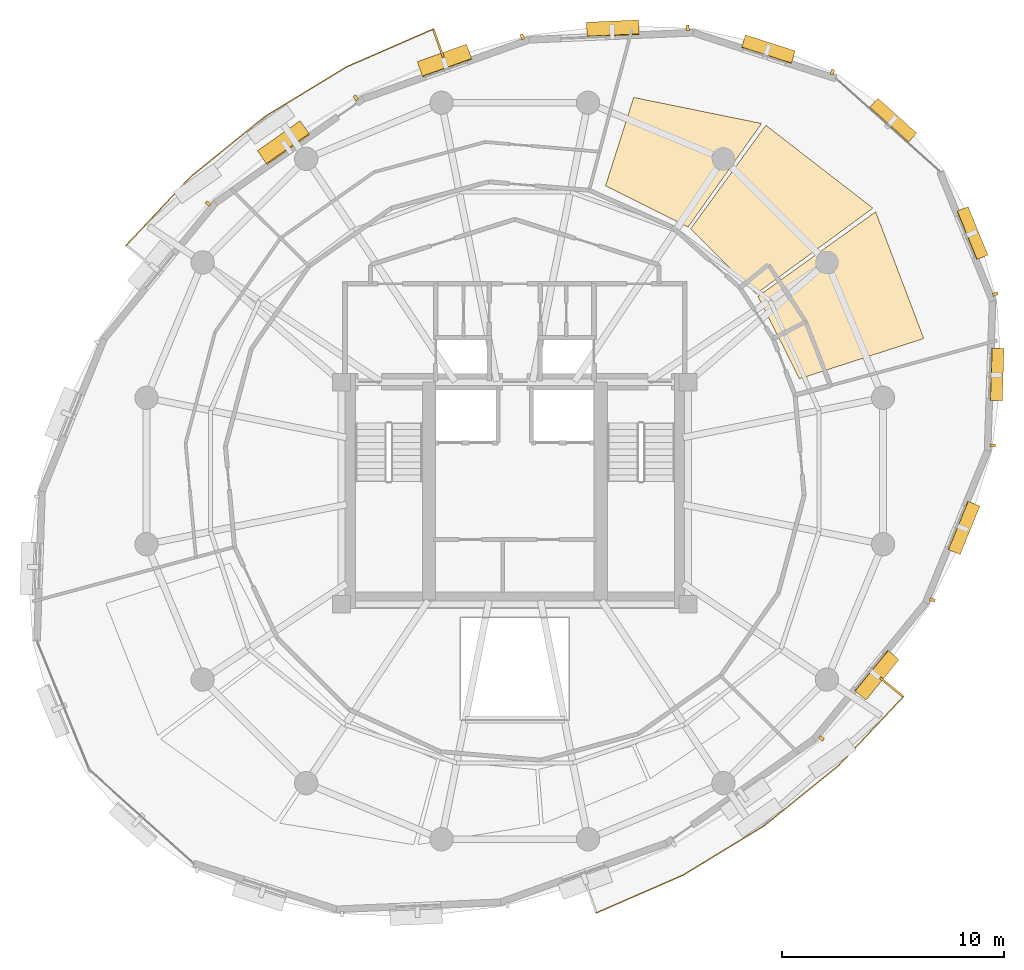
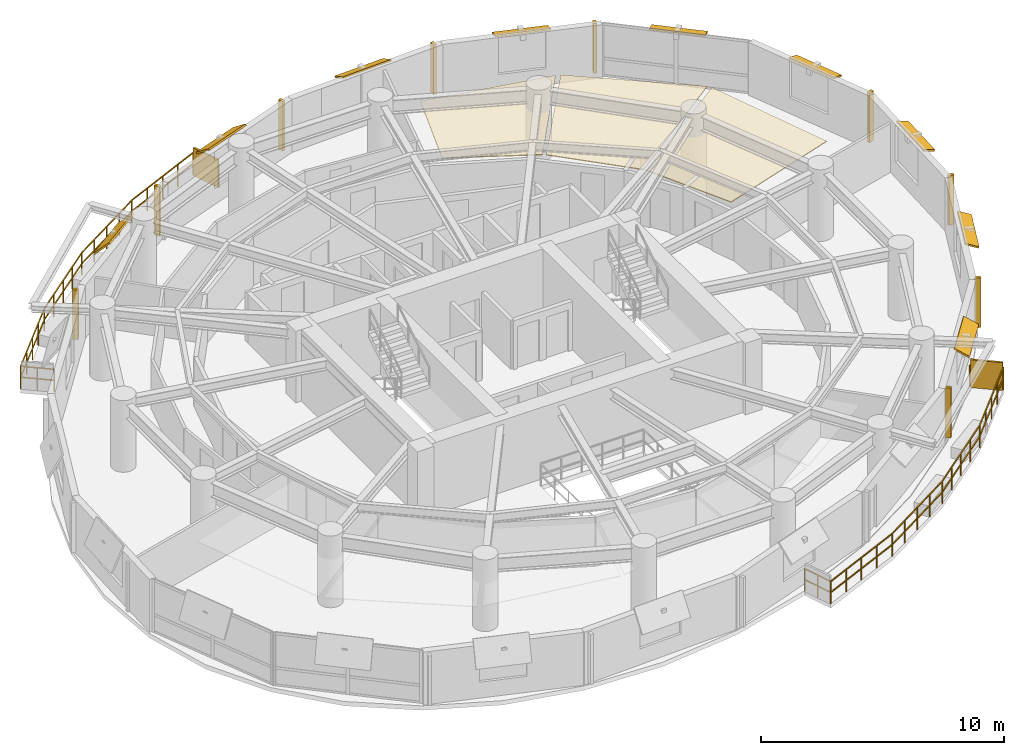
# One storey, part 11 of 11: 20 shading devices, 3 coverings, 2 railings.
"""IFC4 building model written with IfcOpenShell, lengths in metres."""

from ifc_helpers import new_model, si_unit, direction, frame, origin, origin_2d, place, context, subcontext, project, spatial, polyline, rectangle, outline, extrude, material, layer, layer_set, type_object, element, save


model = new_model("IFC4")

# Units and contexts
model_context = context("Model", 3, precision=1e-05, world=origin(), true_north=direction((0.0, 1.0)))
body_context = subcontext(model_context, "Body", "Model", "MODEL_VIEW")
ifc_project = project(units=[si_unit("LENGTHUNIT", "METRE"), si_unit("AREAUNIT", "SQUARE_METRE"), si_unit("VOLUMEUNIT", "CUBIC_METRE"), si_unit("PLANEANGLEUNIT", "RADIAN"), si_unit("MASSUNIT", "GRAM", prefix="KILO"), si_unit("THERMODYNAMICTEMPERATUREUNIT", "KELVIN"), si_unit("POWERUNIT", "WATT")], contexts=[model_context])

# Site, building, storey
site_placement = place(None, origin())
site = spatial("IfcSite", under=ifc_project, at=site_placement, CompositionType="ELEMENT")
building_placement = place(site_placement, origin())
building = spatial("IfcBuilding", under=site, at=building_placement, Name="Ocrelia Relay Tower", CompositionType="ELEMENT")
storey_placement = place(building_placement, frame((0.0, 0.0, 180.800048828125)))
storey = spatial("IfcBuildingStorey", under=building, at=storey_placement, Name="L43", CompositionType="ELEMENT", Elevation=180.800048828125)

# Coverings
ifc_material_1 = material(Name="Mineral-fiber acoustic ceiling tile", Category="gypsum")
ifc_layer_1 = layer(ifc_material_1, 0.0400390625, Name="Mineral-fiber acoustic ceiling tile")
ifc_layer_set_1 = layer_set([ifc_layer_1], Name="Mineral-fiber acoustic ceiling tile")
covering_type = type_object("IfcCoveringType", Name="COV-CEIL-ACOUSTIC", PredefinedType="CEILING", material=ifc_layer_set_1)
covering_1_placement = place(storey_placement, frame((0.0, 0.0, 2.3798828125)))
element("IfcCovering", 1, at=covering_1_placement, inside=storey, type_object=covering_type, Name="L43 Technical Reference Library Suspended Ceiling 1", PredefinedType="CEILING", context=body_context, shape_type="SweptSolid", body=[
    extrude(outline(polyline([(46.814453125, 30.1513671875), (52.41064453125, 31.96435546875), (50.244384765625, 37.665771484375), (44.941162109375, 33.857177734375), (46.814453125, 30.1513671875)])), origin(), (0.0, 0.0, 1.0), 0.0400390625),
])
covering_2_placement = place(storey_placement, frame((0.0, 0.0, 2.3798828125)))
element("IfcCovering", 2, at=covering_2_placement, inside=storey, type_object=covering_type, Name="L43 Technical Reference Library Suspended Ceiling 2", PredefinedType="CEILING", context=body_context, shape_type="SweptSolid", body=[
    extrude(outline(polyline([(44.858154296875, 33.97119140625), (50.11962890625, 37.833740234375), (45.300537109375, 41.563232421875), (41.914306640625, 36.89990234375), (44.858154296875, 33.97119140625)])), origin(), (0.0, 0.0, 1.0), 0.0400390625),
])
covering_3_placement = place(storey_placement, frame((0.0, 0.0, 2.3798828125)))
element("IfcCovering", 3, at=covering_3_placement, inside=storey, type_object=covering_type, Name="L43 Technical Reference Library Suspended Ceiling 3", PredefinedType="CEILING", context=body_context, shape_type="SweptSolid", body=[
    extrude(outline(polyline([(41.7998046875, 36.98193359375), (45.11083984375, 41.644287109375), (39.350830078125, 42.817138671875), (38.083984375, 38.8359375), (41.7998046875, 36.98193359375)])), origin(), (0.0, 0.0, 1.0), 0.0400390625),
])

# Railings
ifc_material_2 = material(Name="Steel S355 balustrade", Category="steel")
railing_type = type_object("IfcRailingType", Name="RL-EXT-GUARD-1150", PredefinedType="GUARDRAIL", material=ifc_material_2)
railing_1_placement = place(storey_placement, frame((17.584716796875, 35.27880859375, 0.0)))
element("IfcRailing", 4, at=railing_1_placement, inside=storey, type_object=railing_type, Name="L43 Loggia Balcony Guard Rail B1", PredefinedType="GUARDRAIL", context=body_context, shape_type="SweptSolid", body=[
    extrude(rectangle(XDim=0.048095703125, YDim=0.048095703125, at=origin_2d()), frame((0.0, 0.0, 1.1259765625), z_axis=(-0.774885344392, 0.632101813829, 0.0), x_axis=(-0.632101813829, -0.774885344392, 0.0)), (0.0, 0.0, 1.0), 1.3935546875),
    extrude(rectangle(XDim=0.048095703125, YDim=0.048095703125, at=origin_2d()), frame((0.0, 0.0, 0.574951171875), z_axis=(-0.774885344392, 0.632101813829, 0.0), x_axis=(-0.632101813829, -0.774885344392, 0.0)), (0.0, 0.0, 1.0), 1.3935546875),
    extrude(rectangle(XDim=0.048095703125, YDim=0.048095703125, at=origin_2d()), frame((-1.079833984375, 0.880859375, 1.1259765625), z_axis=(0.68507819274, 0.728469539399, 0.0), x_axis=(-0.728469539399, 0.68507819274, 0.0)), (0.0, 0.0, 1.0), 2.126708984375),
    extrude(rectangle(XDim=0.048095703125, YDim=0.048095703125, at=origin_2d()), frame((-1.079833984375, 0.880859375, 0.574951171875), z_axis=(0.68507819274, 0.728469539399, 0.0), x_axis=(-0.728469539399, 0.68507819274, 0.0)), (0.0, 0.0, 1.0), 2.126708984375),
    extrude(rectangle(XDim=0.048095703125, YDim=0.048095703125, at=origin_2d()), frame((0.377197265625, 2.43017578125, 1.1259765625), z_axis=(0.685017269169, 0.728526829252, 0.0), x_axis=(-0.728526829252, 0.685017269169, 0.0)), (0.0, 0.0, 1.0), 2.126708984375),
    extrude(rectangle(XDim=0.048095703125, YDim=0.048095703125, at=origin_2d()), frame((0.377197265625, 2.43017578125, 0.574951171875), z_axis=(0.685017269169, 0.728526829252, 0.0), x_axis=(-0.728526829252, 0.685017269169, 0.0)), (0.0, 0.0, 1.0), 2.126708984375),
    extrude(rectangle(XDim=0.048095703125, YDim=0.048095703125, at=origin_2d()), frame((1.833984375, 3.9794921875, 1.1259765625), z_axis=(0.777248838319, 0.629193327469, 0.0), x_axis=(-0.629193327469, 0.777248838319, 0.0)), (0.0, 0.0, 1.0), 4.298828125),
    extrude(rectangle(XDim=0.048095703125, YDim=0.048095703125, at=origin_2d()), frame((1.833984375, 3.9794921875, 0.574951171875), z_axis=(0.777248838319, 0.629193327469, 0.0), x_axis=(-0.629193327469, 0.777248838319, 0.0)), (0.0, 0.0, 1.0), 4.298828125),
    extrude(rectangle(XDim=0.048095703125, YDim=0.048095703125, at=origin_2d()), frame((5.17529296875, 6.684326171875, 1.1259765625), z_axis=(0.854370673373, 0.519664076573, 0.0), x_axis=(-0.519664076573, 0.854370673373, 0.0)), (0.0, 0.0, 1.0), 4.299072265625),
    extrude(rectangle(XDim=0.048095703125, YDim=0.048095703125, at=origin_2d()), frame((5.17529296875, 6.684326171875, 0.574951171875), z_axis=(0.854370673373, 0.519664076573, 0.0), x_axis=(-0.519664076573, 0.854370673373, 0.0)), (0.0, 0.0, 1.0), 4.299072265625),
    extrude(rectangle(XDim=0.048095703125, YDim=0.048095703125, at=origin_2d()), frame((8.848388671875, 8.91845703125, 1.1259765625), z_axis=(0.916825309081, 0.399288558099, 0.0), x_axis=(-0.399288558099, 0.916825309081, 0.0)), (0.0, 0.0, 1.0), 2.12646484375),
    extrude(rectangle(XDim=0.048095703125, YDim=0.048095703125, at=origin_2d()), frame((8.848388671875, 8.91845703125, 0.574951171875), z_axis=(0.916825309081, 0.399288558099, 0.0), x_axis=(-0.399288558099, 0.916825309081, 0.0)), (0.0, 0.0, 1.0), 2.12646484375),
    extrude(rectangle(XDim=0.048095703125, YDim=0.048095703125, at=origin_2d()), frame((10.798095703125, 9.767578125, 1.1259765625), z_axis=(0.916783278701, 0.399385052166, 0.0), x_axis=(-0.399385052166, 0.916783278701, 0.0)), (0.0, 0.0, 1.0), 2.126708984375),
    extrude(rectangle(XDim=0.048095703125, YDim=0.048095703125, at=origin_2d()), frame((10.798095703125, 9.767578125, 0.574951171875), z_axis=(0.916783278701, 0.399385052166, 0.0), x_axis=(-0.399385052166, 0.916783278701, 0.0)), (0.0, 0.0, 1.0), 2.126708984375),
    extrude(rectangle(XDim=0.048095703125, YDim=0.048095703125, at=origin_2d()), frame((12.747802734375, 10.616943359375, 1.1259765625), z_axis=(0.333782272484, -0.942650197356, 0.0), x_axis=(0.942650197356, 0.333782272484, 0.0)), (0.0, 0.0, 1.0), 1.393310546875),
    extrude(rectangle(XDim=0.048095703125, YDim=0.048095703125, at=origin_2d()), frame((12.747802734375, 10.616943359375, 0.574951171875), z_axis=(0.333782272484, -0.942650197356, 0.0), x_axis=(0.942650197356, 0.333782272484, 0.0)), (0.0, 0.0, 1.0), 1.393310546875),
    extrude(rectangle(XDim=0.0419921875, YDim=0.0419921875, at=origin_2d()), origin(), (0.0, 0.0, 1.0), 1.101806640625),
    extrude(rectangle(XDim=0.0419921875, YDim=0.0419921875, at=origin_2d()), frame((-0.5400390625, 0.4404296875, 0.0)), (0.0, 0.0, 1.0), 1.101806640625),
    extrude(rectangle(XDim=0.0419921875, YDim=0.0419921875, at=origin_2d()), frame((-1.079833984375, 0.880859375, 0.0)), (0.0, 0.0, 1.0), 1.101806640625),
    extrude(rectangle(XDim=0.0419921875, YDim=0.0419921875, at=origin_2d()), frame((-0.351318359375, 1.655517578125, 0.0)), (0.0, 0.0, 1.0), 1.101806640625),
    extrude(rectangle(XDim=0.0419921875, YDim=0.0419921875, at=origin_2d()), frame((0.377197265625, 2.43017578125, 0.0)), (0.0, 0.0, 1.0), 1.101806640625),
    extrude(rectangle(XDim=0.0419921875, YDim=0.0419921875, at=origin_2d()), frame((1.10546875, 3.204833984375, 0.0)), (0.0, 0.0, 1.0), 1.101806640625),
    extrude(rectangle(XDim=0.0419921875, YDim=0.0419921875, at=origin_2d()), frame((1.833984375, 3.9794921875, 0.0)), (0.0, 0.0, 1.0), 1.101806640625),
    extrude(rectangle(XDim=0.0419921875, YDim=0.0419921875, at=origin_2d()), frame((2.66943359375, 4.65576171875, 0.0)), (0.0, 0.0, 1.0), 1.101806640625),
    extrude(rectangle(XDim=0.0419921875, YDim=0.0419921875, at=origin_2d()), frame((3.504638671875, 5.33203125, 0.0)), (0.0, 0.0, 1.0), 1.101806640625),
    extrude(rectangle(XDim=0.0419921875, YDim=0.0419921875, at=origin_2d()), frame((4.33984375, 6.008056640625, 0.0)), (0.0, 0.0, 1.0), 1.101806640625),
    extrude(rectangle(XDim=0.0419921875, YDim=0.0419921875, at=origin_2d()), frame((5.17529296875, 6.684326171875, 0.0)), (0.0, 0.0, 1.0), 1.101806640625),
    extrude(rectangle(XDim=0.0419921875, YDim=0.0419921875, at=origin_2d()), frame((6.093505859375, 7.242919921875, 0.0)), (0.0, 0.0, 1.0), 1.101806640625),
    extrude(rectangle(XDim=0.0419921875, YDim=0.0419921875, at=origin_2d()), frame((7.01171875, 7.80126953125, 0.0)), (0.0, 0.0, 1.0), 1.101806640625),
    extrude(rectangle(XDim=0.0419921875, YDim=0.0419921875, at=origin_2d()), frame((7.93017578125, 8.35986328125, 0.0)), (0.0, 0.0, 1.0), 1.101806640625),
    extrude(rectangle(XDim=0.0419921875, YDim=0.0419921875, at=origin_2d()), frame((8.848388671875, 8.91845703125, 0.0)), (0.0, 0.0, 1.0), 1.101806640625),
    extrude(rectangle(XDim=0.0419921875, YDim=0.0419921875, at=origin_2d()), frame((9.8232421875, 9.343017578125, 0.0)), (0.0, 0.0, 1.0), 1.101806640625),
    extrude(rectangle(XDim=0.0419921875, YDim=0.0419921875, at=origin_2d()), frame((10.798095703125, 9.767578125, 0.0)), (0.0, 0.0, 1.0), 1.101806640625),
    extrude(rectangle(XDim=0.0419921875, YDim=0.0419921875, at=origin_2d()), frame((11.77294921875, 10.1923828125, 0.0)), (0.0, 0.0, 1.0), 1.101806640625),
    extrude(rectangle(XDim=0.0419921875, YDim=0.0419921875, at=origin_2d()), frame((12.747802734375, 10.616943359375, 0.0)), (0.0, 0.0, 1.0), 1.101806640625),
    extrude(rectangle(XDim=0.0419921875, YDim=0.0419921875, at=origin_2d()), frame((12.98046875, 9.960205078125, 0.0)), (0.0, 0.0, 1.0), 1.101806640625),
    extrude(rectangle(XDim=0.0419921875, YDim=0.0419921875, at=origin_2d()), frame((13.212890625, 9.303466796875, 0.0)), (0.0, 0.0, 1.0), 1.101806640625),
])
railing_2_placement = place(storey_placement, frame((50.415283203125, 16.72119140625, 0.0)))
element("IfcRailing", 5, at=railing_2_placement, inside=storey, type_object=railing_type, Name="L43 Loggia Balcony Guard Rail B2", PredefinedType="GUARDRAIL", context=body_context, shape_type="SweptSolid", body=[
    extrude(rectangle(XDim=0.048095703125, YDim=0.048095703125, at=origin_2d()), frame((0.0, 0.0, 1.1259765625), z_axis=(0.774885344392, -0.632101813829, 0.0), x_axis=(0.632101813829, 0.774885344392, 0.0)), (0.0, 0.0, 1.0), 1.3935546875),
    extrude(rectangle(XDim=0.048095703125, YDim=0.048095703125, at=origin_2d()), frame((0.0, 0.0, 0.574951171875), z_axis=(0.774885344392, -0.632101813829, 0.0), x_axis=(0.632101813829, 0.774885344392, 0.0)), (0.0, 0.0, 1.0), 1.3935546875),
    extrude(rectangle(XDim=0.048095703125, YDim=0.048095703125, at=origin_2d()), frame((1.079833984375, -0.880859375, 1.1259765625), z_axis=(-0.68507819274, -0.728469539399, 0.0), x_axis=(0.728469539399, -0.68507819274, 0.0)), (0.0, 0.0, 1.0), 2.126708984375),
    extrude(rectangle(XDim=0.048095703125, YDim=0.048095703125, at=origin_2d()), frame((1.079833984375, -0.880859375, 0.574951171875), z_axis=(-0.68507819274, -0.728469539399, 0.0), x_axis=(0.728469539399, -0.68507819274, 0.0)), (0.0, 0.0, 1.0), 2.126708984375),
    extrude(rectangle(XDim=0.048095703125, YDim=0.048095703125, at=origin_2d()), frame((-0.377197265625, -2.43017578125, 1.1259765625), z_axis=(-0.685017269169, -0.728526829252, 0.0), x_axis=(0.728526829252, -0.685017269169, 0.0)), (0.0, 0.0, 1.0), 2.126708984375),
    extrude(rectangle(XDim=0.048095703125, YDim=0.048095703125, at=origin_2d()), frame((-0.377197265625, -2.43017578125, 0.574951171875), z_axis=(-0.685017269169, -0.728526829252, 0.0), x_axis=(0.728526829252, -0.685017269169, 0.0)), (0.0, 0.0, 1.0), 2.126708984375),
    extrude(rectangle(XDim=0.048095703125, YDim=0.048095703125, at=origin_2d()), frame((-1.833984375, -3.9794921875, 1.1259765625), z_axis=(-0.777248838319, -0.629193327469, 0.0), x_axis=(0.629193327469, -0.777248838319, 0.0)), (0.0, 0.0, 1.0), 4.298828125),
    extrude(rectangle(XDim=0.048095703125, YDim=0.048095703125, at=origin_2d()), frame((-1.833984375, -3.9794921875, 0.574951171875), z_axis=(-0.777248838319, -0.629193327469, 0.0), x_axis=(0.629193327469, -0.777248838319, 0.0)), (0.0, 0.0, 1.0), 4.298828125),
    extrude(rectangle(XDim=0.048095703125, YDim=0.048095703125, at=origin_2d()), frame((-5.17529296875, -6.684326171875, 1.1259765625), z_axis=(-0.854370673373, -0.519664076573, 0.0), x_axis=(0.519664076573, -0.854370673373, 0.0)), (0.0, 0.0, 1.0), 4.299072265625),
    extrude(rectangle(XDim=0.048095703125, YDim=0.048095703125, at=origin_2d()), frame((-5.17529296875, -6.684326171875, 0.574951171875), z_axis=(-0.854370673373, -0.519664076573, 0.0), x_axis=(0.519664076573, -0.854370673373, 0.0)), (0.0, 0.0, 1.0), 4.299072265625),
    extrude(rectangle(XDim=0.048095703125, YDim=0.048095703125, at=origin_2d()), frame((-8.848388671875, -8.91845703125, 1.1259765625), z_axis=(-0.916825309081, -0.399288558099, 0.0), x_axis=(0.399288558099, -0.916825309081, 0.0)), (0.0, 0.0, 1.0), 2.12646484375),
    extrude(rectangle(XDim=0.048095703125, YDim=0.048095703125, at=origin_2d()), frame((-8.848388671875, -8.91845703125, 0.574951171875), z_axis=(-0.916825309081, -0.399288558099, 0.0), x_axis=(0.399288558099, -0.916825309081, 0.0)), (0.0, 0.0, 1.0), 2.12646484375),
    extrude(rectangle(XDim=0.048095703125, YDim=0.048095703125, at=origin_2d()), frame((-10.798095703125, -9.767578125, 1.1259765625), z_axis=(-0.916783278701, -0.399385052166, 0.0), x_axis=(0.399385052166, -0.916783278701, 0.0)), (0.0, 0.0, 1.0), 2.126708984375),
    extrude(rectangle(XDim=0.048095703125, YDim=0.048095703125, at=origin_2d()), frame((-10.798095703125, -9.767578125, 0.574951171875), z_axis=(-0.916783278701, -0.399385052166, 0.0), x_axis=(0.399385052166, -0.916783278701, 0.0)), (0.0, 0.0, 1.0), 2.126708984375),
    extrude(rectangle(XDim=0.048095703125, YDim=0.048095703125, at=origin_2d()), frame((-12.747802734375, -10.616943359375, 1.1259765625), z_axis=(-0.333782272484, 0.942650197356, 0.0), x_axis=(-0.942650197356, -0.333782272484, 0.0)), (0.0, 0.0, 1.0), 1.393310546875),
    extrude(rectangle(XDim=0.048095703125, YDim=0.048095703125, at=origin_2d()), frame((-12.747802734375, -10.616943359375, 0.574951171875), z_axis=(-0.333782272484, 0.942650197356, 0.0), x_axis=(-0.942650197356, -0.333782272484, 0.0)), (0.0, 0.0, 1.0), 1.393310546875),
    extrude(rectangle(XDim=0.0419921875, YDim=0.0419921875, at=origin_2d()), origin(), (0.0, 0.0, 1.0), 1.101806640625),
    extrude(rectangle(XDim=0.0419921875, YDim=0.0419921875, at=origin_2d()), frame((0.5400390625, -0.4404296875, 0.0)), (0.0, 0.0, 1.0), 1.101806640625),
    extrude(rectangle(XDim=0.0419921875, YDim=0.0419921875, at=origin_2d()), frame((1.079833984375, -0.880859375, 0.0)), (0.0, 0.0, 1.0), 1.101806640625),
    extrude(rectangle(XDim=0.0419921875, YDim=0.0419921875, at=origin_2d()), frame((0.351318359375, -1.655517578125, 0.0)), (0.0, 0.0, 1.0), 1.101806640625),
    extrude(rectangle(XDim=0.0419921875, YDim=0.0419921875, at=origin_2d()), frame((-0.377197265625, -2.43017578125, 0.0)), (0.0, 0.0, 1.0), 1.101806640625),
    extrude(rectangle(XDim=0.0419921875, YDim=0.0419921875, at=origin_2d()), frame((-1.10546875, -3.204833984375, 0.0)), (0.0, 0.0, 1.0), 1.101806640625),
    extrude(rectangle(XDim=0.0419921875, YDim=0.0419921875, at=origin_2d()), frame((-1.833984375, -3.9794921875, 0.0)), (0.0, 0.0, 1.0), 1.101806640625),
    extrude(rectangle(XDim=0.0419921875, YDim=0.0419921875, at=origin_2d()), frame((-2.66943359375, -4.65576171875, 0.0)), (0.0, 0.0, 1.0), 1.101806640625),
    extrude(rectangle(XDim=0.0419921875, YDim=0.0419921875, at=origin_2d()), frame((-3.504638671875, -5.33203125, 0.0)), (0.0, 0.0, 1.0), 1.101806640625),
    extrude(rectangle(XDim=0.0419921875, YDim=0.0419921875, at=origin_2d()), frame((-4.33984375, -6.008056640625, 0.0)), (0.0, 0.0, 1.0), 1.101806640625),
    extrude(rectangle(XDim=0.0419921875, YDim=0.0419921875, at=origin_2d()), frame((-5.17529296875, -6.684326171875, 0.0)), (0.0, 0.0, 1.0), 1.101806640625),
    extrude(rectangle(XDim=0.0419921875, YDim=0.0419921875, at=origin_2d()), frame((-6.093505859375, -7.242919921875, 0.0)), (0.0, 0.0, 1.0), 1.101806640625),
    extrude(rectangle(XDim=0.0419921875, YDim=0.0419921875, at=origin_2d()), frame((-7.01171875, -7.80126953125, 0.0)), (0.0, 0.0, 1.0), 1.101806640625),
    extrude(rectangle(XDim=0.0419921875, YDim=0.0419921875, at=origin_2d()), frame((-7.93017578125, -8.35986328125, 0.0)), (0.0, 0.0, 1.0), 1.101806640625),
    extrude(rectangle(XDim=0.0419921875, YDim=0.0419921875, at=origin_2d()), frame((-8.848388671875, -8.91845703125, 0.0)), (0.0, 0.0, 1.0), 1.101806640625),
    extrude(rectangle(XDim=0.0419921875, YDim=0.0419921875, at=origin_2d()), frame((-9.8232421875, -9.343017578125, 0.0)), (0.0, 0.0, 1.0), 1.101806640625),
    extrude(rectangle(XDim=0.0419921875, YDim=0.0419921875, at=origin_2d()), frame((-10.798095703125, -9.767578125, 0.0)), (0.0, 0.0, 1.0), 1.101806640625),
    extrude(rectangle(XDim=0.0419921875, YDim=0.0419921875, at=origin_2d()), frame((-11.77294921875, -10.1923828125, 0.0)), (0.0, 0.0, 1.0), 1.101806640625),
    extrude(rectangle(XDim=0.0419921875, YDim=0.0419921875, at=origin_2d()), frame((-12.747802734375, -10.616943359375, 0.0)), (0.0, 0.0, 1.0), 1.101806640625),
    extrude(rectangle(XDim=0.0419921875, YDim=0.0419921875, at=origin_2d()), frame((-12.98046875, -9.960205078125, 0.0)), (0.0, 0.0, 1.0), 1.101806640625),
    extrude(rectangle(XDim=0.0419921875, YDim=0.0419921875, at=origin_2d()), frame((-13.212890625, -9.303466796875, 0.0)), (0.0, 0.0, 1.0), 1.101806640625),
])

# Shading devices
ifc_material_3 = material(Name="Perforated oxide terracotta solar screen", Category="masonry")
ifc_layer_2 = layer(ifc_material_3, 0.090087890625, Name="Perforated oxide terracotta solar screen")
ifc_layer_set_2 = layer_set([ifc_layer_2], Name="Perforated oxide terracotta solar screen")
shading_device_type_1 = type_object("IfcShadingDeviceType", Name="SH-BALC-SCREEN", PredefinedType="USERDEFINED", material=ifc_layer_set_2)
for number, where, z_axis, x_axis, name in (
    (6, (30.56494140625, 45.239013671875, 0.0), (0.0, 0.0, 1.0), (-0.333912234412, 0.942604169156, 0.0), "L43 Balcony Perforated Terracotta Screen B1-1"),
    (7, (50.955078125, 16.28076171875, 0.0), (0.0, 0.0, 1.0), (0.774896470191, -0.632088174613, 0.0), "L43 Balcony Perforated Terracotta Screen B2-2"),
):
    element("IfcShadingDevice", number, at=place(storey_placement, frame(where, z_axis=z_axis, x_axis=x_axis)), inside=storey, type_object=shading_device_type_1, Name=name, ObjectType="SCREEN", PredefinedType="USERDEFINED", context=body_context, shape_type="SweptSolid", body=[
        extrude(rectangle(XDim=1.340087890625, YDim=0.090087890625, at=origin_2d()), origin(), (0.0, 0.0, 1.0), 1.39990234375),
    ])
ifc_material_4 = material(Name="Extruded oxide terracotta vertical baguette", Category="masonry")
shading_device_type_2 = type_object("IfcShadingDeviceType", Name="SH-TERR-BAGUETTE", PredefinedType="USERDEFINED", material=ifc_material_4)
for number, where, z_axis, x_axis, name in (
    (8, (48.29638671875, 43.95751953125, 0.079833984375), (0.0, 0.0, 1.0), (-0.952093943158, 0.305805695504, 0.0), "L43 Oxide Terracotta Vertical Baguette 02"),
    (9, (41.782958984375, 45.947265625, 0.079833984375), (0.0, 0.0, 1.0), (-0.999082573602, -0.042825356101, 0.0), "L43 Oxide Terracotta Vertical Baguette 03"),
    (10, (34.338623046875, 45.547119140625, 0.079833984375), (0.0, 0.0, 1.0), (-0.94210553613, -0.335316505399, 0.0), "L43 Oxide Terracotta Vertical Baguette 04"),
    (11, (26.844970703125, 42.802734375, 0.079833984375), (0.0, 0.0, 1.0), (-0.817648307618, -0.575718025642, 0.0), "L43 Oxide Terracotta Vertical Baguette 05"),
    (12, (20.19873046875, 38.0341796875, 0.079833984375), (0.0, 0.0, 1.0), (-0.633265954699, -0.773934254714, 0.0), "L43 Oxide Terracotta Vertical Baguette 06"),
    (13, (47.80126953125, 13.9658203125, 0.079833984375), (0.0, 0.0, 1.0), (0.633265954699, 0.773934254714, 0.0), "L43 Oxide Terracotta Vertical Baguette 15"),
    (14, (52.794677734375, 20.1962890625, 0.079833984375), (0.0, 0.0, 1.0), (0.377114814891, 0.926166516556, 0.0), "L43 Oxide Terracotta Vertical Baguette 16"),
    (15, (55.518798828125, 27.14453125, 0.079833984375), (0.0, 0.0, 1.0), (0.033031480205, 0.99945431177, 0.0), "L43 Oxide Terracotta Vertical Baguette 17"),
    (16, (55.626220703125, 33.962646484375, 0.079833984375), (0.0, 0.0, 1.0), (-0.377340873582, 0.92607443822, 0.0), "L43 Oxide Terracotta Vertical Baguette 18"),
):
    element("IfcShadingDevice", number, at=place(storey_placement, frame(where, z_axis=z_axis, x_axis=x_axis)), inside=storey, type_object=shading_device_type_2, Name=name, ObjectType="BAGUETTE", PredefinedType="USERDEFINED", context=body_context, shape_type="SweptSolid", body=[
        extrude(rectangle(XDim=0.139892578125, YDim=0.239990234375, at=origin_2d()), origin(), (0.0, 0.0, 1.0), 2.5),
    ])
ifc_material_5 = material(Name="Extruded oxide terracotta fin", Category="masonry")
ifc_layer_3 = layer(ifc_material_5, 0.080078125, Name="Extruded oxide terracotta fin")
ifc_layer_set_3 = layer_set([ifc_layer_3], Name="Extruded oxide terracotta fin")
shading_device_type_3 = type_object("IfcShadingDeviceType", Name="SH-VISOR-FIN-MED", PredefinedType="USERDEFINED", material=ifc_layer_set_3)
shading_device_1_placement = place(storey_placement, frame((30.8486328125, 44.45068359375, 2.467529296875), z_axis=(-0.195528394363, 0.549356741567, 0.812388957023), x_axis=(-0.94210553613, -0.335316505399, 0.0)))
element("IfcShadingDevice", 17, at=shading_device_1_placement, inside=storey, type_object=shading_device_type_3, Name="L43 Canted Terracotta Sun-Visor Fin 04", ObjectType="FIN", PredefinedType="USERDEFINED", context=body_context, shape_type="SweptSolid", body=[
    extrude(rectangle(XDim=2.35009765625, YDim=0.843994140625, at=origin_2d()), origin(), (0.0, 0.0, 1.0), 0.080078125),
])
shading_device_2_placement = place(storey_placement, frame((23.611328125, 40.754150390625, 2.472412109375), z_axis=(-0.415738959812, 0.590442268197, 0.691765166238), x_axis=(-0.817648307618, -0.575718025642, 0.0)))
element("IfcShadingDevice", 18, at=shading_device_2_placement, inside=storey, type_object=shading_device_type_3, Name="L43 Canted Terracotta Sun-Visor Fin 05", ObjectType="FIN", PredefinedType="USERDEFINED", context=body_context, shape_type="SweptSolid", body=[
    extrude(rectangle(XDim=2.35009765625, YDim=1.02001953125, at=origin_2d()), origin(), (0.0, 0.0, 1.0), 0.080078125),
])
ifc_layer_4 = layer(ifc_material_5, 0.080078125, Name="Extruded oxide terracotta fin")
ifc_layer_set_4 = layer_set([ifc_layer_4], Name="Extruded oxide terracotta fin")
shading_device_type_4 = type_object("IfcShadingDeviceType", Name="SH-VISOR-FIN-SHAL", PredefinedType="USERDEFINED", material=ifc_layer_set_4)
shading_device_3_placement = place(storey_placement, frame((51.01904296875, 41.775634765625, 2.462158203125), z_axis=(0.218947830504, 0.244281931897, 0.944663000898), x_axis=(-0.744665730889, 0.66743759951, 0.0)))
element("IfcShadingDevice", 19, at=shading_device_3_placement, inside=storey, type_object=shading_device_type_4, Name="L43 Canted Terracotta Sun-Visor Fin 01", ObjectType="FIN", PredefinedType="USERDEFINED", context=body_context, shape_type="SweptSolid", body=[
    extrude(rectangle(XDim=2.35009765625, YDim=0.569091796875, at=origin_2d()), origin(), (0.0, 0.0, 1.0), 0.080078125),
])
shading_device_4_placement = place(storey_placement, frame((45.410400390625, 44.967529296875, 2.462890625), z_axis=(0.115051522455, 0.358200842204, 0.926528630872), x_axis=(-0.952093943158, 0.305805695504, 0.0)))
element("IfcShadingDevice", 20, at=shading_device_4_placement, inside=storey, type_object=shading_device_type_4, Name="L43 Canted Terracotta Sun-Visor Fin 02", ObjectType="FIN", PredefinedType="USERDEFINED", context=body_context, shape_type="SweptSolid", body=[
    extrude(rectangle(XDim=2.35009765625, YDim=0.617919921875, at=origin_2d()), origin(), (0.0, 0.0, 1.0), 0.080078125),
])
shading_device_5_placement = place(storey_placement, frame((38.415283203125, 45.900634765625, 2.46435546875), z_axis=(-0.019701583443, 0.459622767493, 0.887895691628), x_axis=(-0.999082573602, -0.042825356101, 0.0)))
element("IfcShadingDevice", 21, at=shading_device_5_placement, inside=storey, type_object=shading_device_type_4, Name="L43 Canted Terracotta Sun-Visor Fin 03", ObjectType="FIN", PredefinedType="USERDEFINED", context=body_context, shape_type="SweptSolid", body=[
    extrude(rectangle(XDim=2.35009765625, YDim=0.70703125, at=origin_2d()), origin(), (0.0, 0.0, 1.0), 0.080078125),
])
shading_device_6_placement = place(storey_placement, frame((50.28076171875, 16.828125, 2.464599609375), z_axis=(0.363697871993, -0.297593082005, 0.882701657102), x_axis=(0.633265954699, 0.773934254714, 0.0)))
element("IfcShadingDevice", 22, at=shading_device_6_placement, inside=storey, type_object=shading_device_type_4, Name="L43 Canted Terracotta Sun-Visor Fin 15", ObjectType="FIN", PredefinedType="USERDEFINED", context=body_context, shape_type="SweptSolid", body=[
    extrude(rectangle(XDim=2.35009765625, YDim=0.717041015625, at=origin_2d()), origin(), (0.0, 0.0, 1.0), 0.080078125),
])
shading_device_7_placement = place(storey_placement, frame((54.201171875, 23.45068359375, 2.462890625), z_axis=(0.342296869901, -0.139375823271, 0.929197090365), x_axis=(0.377114814891, 0.926166516556, 0.0)))
element("IfcShadingDevice", 23, at=shading_device_7_placement, inside=storey, type_object=shading_device_type_4, Name="L43 Canted Terracotta Sun-Visor Fin 16", ObjectType="FIN", PredefinedType="USERDEFINED", context=body_context, shape_type="SweptSolid", body=[
    extrude(rectangle(XDim=2.35009765625, YDim=0.612060546875, at=origin_2d()), origin(), (0.0, 0.0, 1.0), 0.080078125),
])
shading_device_8_placement = place(storey_placement, frame((55.6904296875, 30.345703125, 2.462158203125), z_axis=(0.320107557999, -0.010579399519, 0.947322135083), x_axis=(0.033031480205, 0.99945431177, 0.0)))
element("IfcShadingDevice", 24, at=shading_device_8_placement, inside=storey, type_object=shading_device_type_4, Name="L43 Canted Terracotta Sun-Visor Fin 17", ObjectType="FIN", PredefinedType="USERDEFINED", context=body_context, shape_type="SweptSolid", body=[
    extrude(rectangle(XDim=2.35009765625, YDim=0.56103515625, at=origin_2d()), origin(), (0.0, 0.0, 1.0), 0.080078125),
])
shading_device_9_placement = place(storey_placement, frame((54.58544921875, 36.702880859375, 2.4619140625), z_axis=(0.286480161469, 0.116730005636, 0.950948591076), x_axis=(-0.377340873582, 0.92607443822, 0.0)))
element("IfcShadingDevice", 25, at=shading_device_9_placement, inside=storey, type_object=shading_device_type_4, Name="L43 Canted Terracotta Sun-Visor Fin 18", ObjectType="FIN", PredefinedType="USERDEFINED", context=body_context, shape_type="SweptSolid", body=[
    extrude(rectangle(XDim=2.35009765625, YDim=0.550048828125, at=origin_2d()), origin(), (0.0, 0.0, 1.0), 0.080078125),
])

save(model, "model.ifc")
